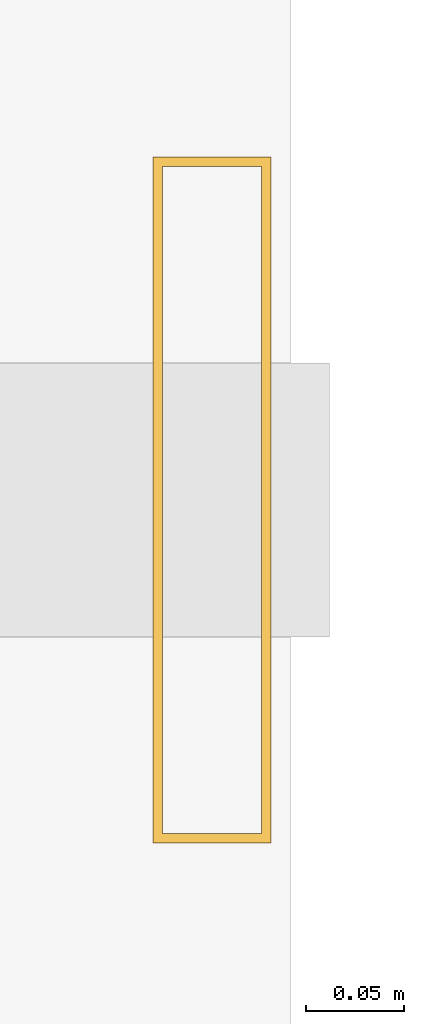
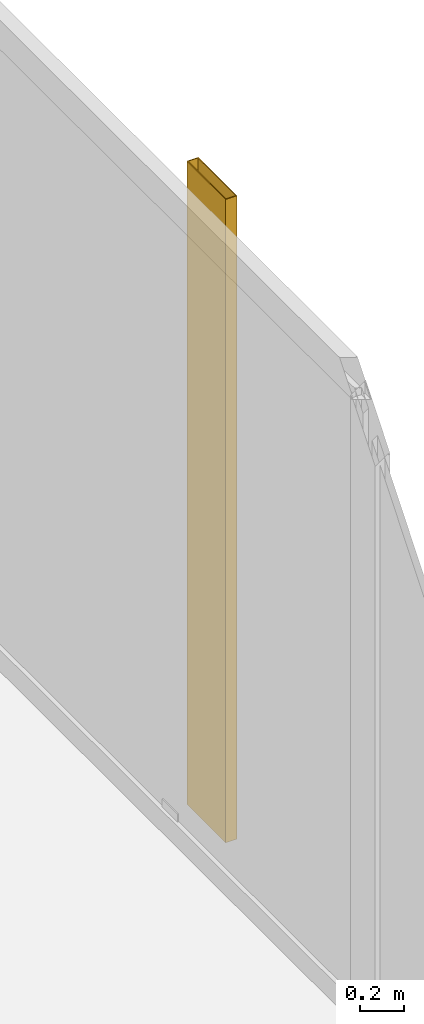
# One storey, part 29 of 29: 1 shading device.
"""IFC4 building model written with IfcOpenShell, lengths in metres."""

from ifc_helpers import new_model, si_unit, direction, frame, origin, origin_2d, place, context, subcontext, project, spatial, hollow_rectangle, extrude, material, material_profile, profile_set, type_object, element, save


model = new_model("IFC4")

# Units and contexts
model_context = context("Model", 3, precision=1e-05, world=origin(), true_north=direction((0.0, 1.0)))
body_context = subcontext(model_context, "Body", "Model", "MODEL_VIEW")
ifc_project = project(units=[si_unit("LENGTHUNIT", "METRE"), si_unit("AREAUNIT", "SQUARE_METRE"), si_unit("VOLUMEUNIT", "CUBIC_METRE"), si_unit("PLANEANGLEUNIT", "RADIAN"), si_unit("MASSUNIT", "GRAM", prefix="KILO")], contexts=[model_context])

# Site, building, storey
site_placement = place(None, origin())
site = spatial("IfcSite", under=ifc_project, at=site_placement, CompositionType="ELEMENT")
building_placement = place(site_placement, origin())
building = spatial("IfcBuilding", under=site, at=building_placement, Name="Kolvaren Waterfront Exchange", CompositionType="ELEMENT")
storey_placement = place(building_placement, frame((0.0, 0.0, 129.699951171875)))
storey = spatial("IfcBuildingStorey", under=building, at=storey_placement, Name="L33", CompositionType="ELEMENT", Elevation=129.699951171875)

# Shading device
ifc_material = material(Name="Anodised bronze aluminium 6063-T6", Category="aluminium")
ifc_material_profile = material_profile(ifc_material, hollow_rectangle(XDim=0.06005859375, YDim=0.35009765625, WallThickness=0.0048828125, at=origin_2d()), Name="BRZ-FIN-350x60x5")
ifc_profile_set = profile_set([ifc_material_profile], Name="Anodised bronze aluminium 6063-T6")
shading_device_type = type_object("IfcShadingDeviceType", Name="ARC-FIN-350", PredefinedType="USERDEFINED", material=ifc_profile_set)
shading_device_placement = place(storey_placement, frame((23.9599609375, 38.0, 0.0), z_axis=(0.0, 0.0, 1.0), x_axis=(1.0, 0.0, 0.0)))
element("IfcShadingDevice", 1, at=shading_device_placement, inside=storey, type_object=shading_device_type, Name="L33 anodised bronze solar shading fin FIN-L33-E3", ObjectType="SOLAR FIN", PredefinedType="USERDEFINED", context=body_context, shape_type="SweptSolid", body=[
    extrude(hollow_rectangle(XDim=0.06005859375, YDim=0.35009765625, WallThickness=0.0048828125, at=origin_2d()), origin(), (0.0, 0.0, 1.0), 3.5400390625),
])

save(model, "model.ifc")
